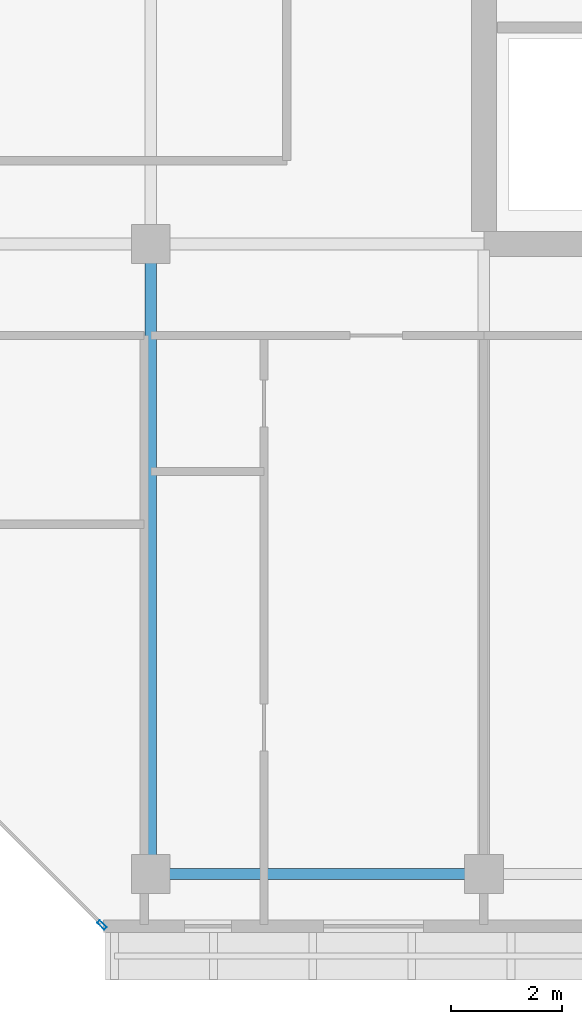
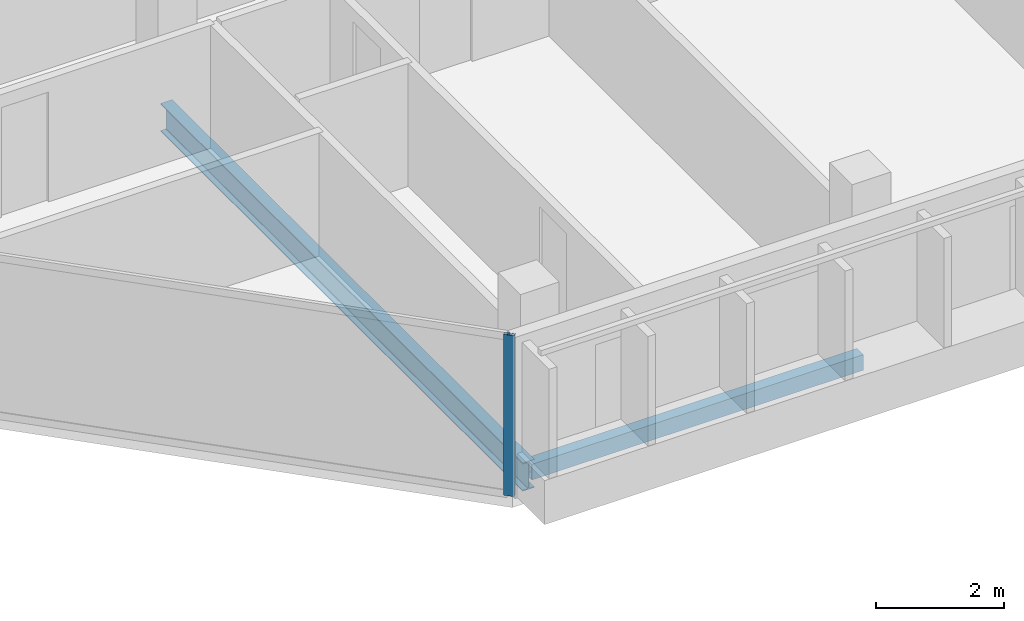
# One storey, part 10 of 28: 2 beams, 1 member, 1 element without a shape of its own.
"""IFC4 building model written with IfcOpenShell, lengths in metres."""

from ifc_helpers import new_model, si_unit, direction, frame, origin, origin_2d, place, context, subcontext, project, spatial, hollow_rectangle, i_section, extrude, material, layer, layer_set, material_profile, profile_set, type_object, element, aggregate, save


model = new_model("IFC4")

# Units and contexts
model_context = context("Model", 3, precision=1e-05, world=origin(), true_north=direction((0.0, 1.0)))
body_context = subcontext(model_context, "Body", "Model", "MODEL_VIEW")
ifc_project = project(units=[si_unit("LENGTHUNIT", "METRE"), si_unit("AREAUNIT", "SQUARE_METRE"), si_unit("VOLUMEUNIT", "CUBIC_METRE"), si_unit("PLANEANGLEUNIT", "RADIAN"), si_unit("MASSUNIT", "GRAM", prefix="KILO")], contexts=[model_context])

# Site, building, storey
site_placement = place(None, origin())
site = spatial("IfcSite", under=ifc_project, at=site_placement, CompositionType="ELEMENT")
building_placement = place(site_placement, origin())
building = spatial("IfcBuilding", under=site, at=building_placement, Name="Tanjung Sevakor Pilgrim Tower", CompositionType="ELEMENT")
storey_placement = place(building_placement, frame((0.0, 0.0, 239.25)))
storey = spatial("IfcBuildingStorey", under=building, at=storey_placement, Name="L67", CompositionType="ELEMENT", Elevation=239.25)

# Beams
ifc_material_1 = material(Name="Steel S355J2", Category="steel")
ifc_material_profile_1 = material_profile(ifc_material_1, i_section(OverallWidth=0.210693359375, OverallDepth=0.53955078125, WebThickness=0.01171875, FlangeThickness=0.018798828125, FilletRadius=0.0126953125, at=origin_2d()))
ifc_profile_set_1 = profile_set([ifc_material_profile_1], Name="Steel S355J2")
beam_type_1 = type_object("IfcBeamType", Name="BM-B-G6-UB_533x210x109", PredefinedType="BEAM", material=ifc_profile_set_1)
beam_1_placement = place(storey_placement, frame((72.0, 13.25, -0.48974609375), z_axis=(0.0, 1.0, 0.0), x_axis=(-1.0, 0.0, 0.0)))
element("IfcBeam", 1, at=beam_1_placement, inside=storey, type_object=beam_type_1, Name="L67 EAST Girder 002", PredefinedType="BEAM", context=body_context, shape_type="SweptSolid", body=[
    extrude(i_section(OverallWidth=0.210693359375, OverallDepth=0.53955078125, WebThickness=0.01171875, FlangeThickness=0.018798828125, FilletRadius=0.0126953125, at=origin_2d()), origin(), (0.0, 0.0, 1.0), 11.35009765625),
])
ifc_material_2 = material(Name="Steel S355J2", Category="steel")
ifc_material_profile_2 = material_profile(ifc_material_2, hollow_rectangle(XDim=0.199951171875, YDim=0.300048828125, WallThickness=0.012451171875, at=origin_2d()))
ifc_profile_set_2 = profile_set([ifc_material_profile_2], Name="Steel S355J2")
beam_type_2 = type_object("IfcBeamType", Name="BM-B-SP3-RHS_300x200x12.5", PredefinedType="SPANDREL", material=ifc_profile_set_2)
beam_2_placement = place(storey_placement, frame((72.0, 13.25, -0.3701171875), z_axis=(1.0, 0.0, 0.0), x_axis=(0.0, 1.0, 0.0)))
element("IfcBeam", 2, at=beam_2_placement, inside=storey, type_object=beam_type_2, Name="L67 Spandrel EAST S-01", PredefinedType="SPANDREL", context=body_context, shape_type="SweptSolid", body=[
    extrude(hollow_rectangle(XDim=0.199951171875, YDim=0.300048828125, WallThickness=0.012451171875, at=origin_2d()), origin(), (0.0, 0.0, 1.0), 6.0),
])

# Curtain wall, member
ifc_material_3 = material(Name="Aluminium 6063-T6 and Low-E Glass", Category="aluminium")
ifc_layer = layer(ifc_material_3, 0.179931640625)
ifc_layer_set = layer_set([ifc_layer], Name="CW-SYS-CHAM")
curtain_wall_type = type_object("IfcCurtainWallType", Name="CW-SYS-CHAM", PredefinedType="NOTDEFINED", material=ifc_layer_set)
curtain_wall_placement = place(storey_placement, origin())
curtain_wall = element("IfcCurtainWall", 3, at=curtain_wall_placement, inside=storey, type_object=curtain_wall_type, Name="L67 Curtain Wall CW-CHM-L67-EAST-7", PredefinedType="NOTDEFINED")
ifc_material_4 = material(Name="Aluminium 6063-T6", Category="aluminium")
ifc_material_profile_3 = material_profile(ifc_material_4, hollow_rectangle(XDim=0.06494140625, YDim=0.179931640625, WallThickness=0.00390625, at=origin_2d()))
ifc_profile_set_3 = profile_set([ifc_material_profile_3], Name="Aluminium 6063-T6")
member_type = type_object("IfcMemberType", Name="TYPE-CWM-1", PredefinedType="MULLION", material=ifc_profile_set_3)
member_placement = place(storey_placement, frame((71.12255859375, 12.3330078125, 0.0), z_axis=(0.0, 0.0, 1.0), x_axis=(0.707106781187, 0.707106781187, 0.0)))
member = element("IfcMember", 4, at=member_placement, type_object=member_type, Name="CW-CHM mullion 2", PredefinedType="MULLION", context=body_context, shape_type="SweptSolid", body=[
    extrude(hollow_rectangle(XDim=0.06494140625, YDim=0.179931640625, WallThickness=0.00390625, at=origin_2d()), origin(), (0.0, 0.0, 1.0), 3.080078125),
])
aggregate(curtain_wall, [member])

save(model, "model.ifc")
